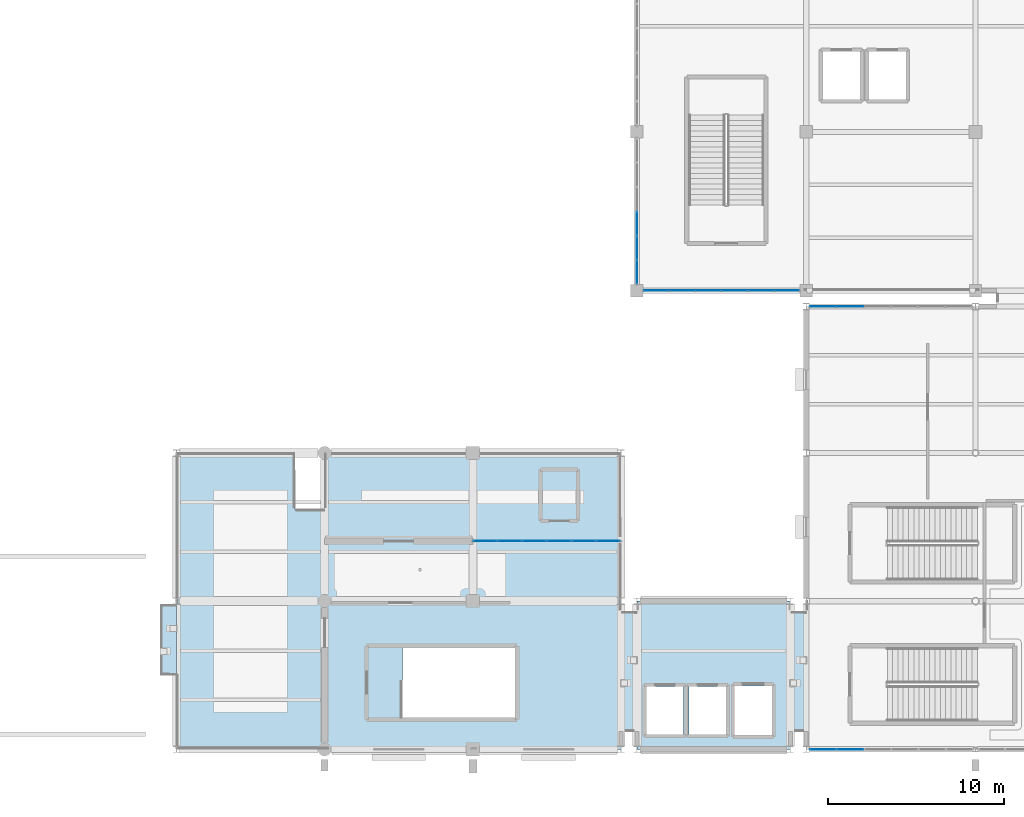
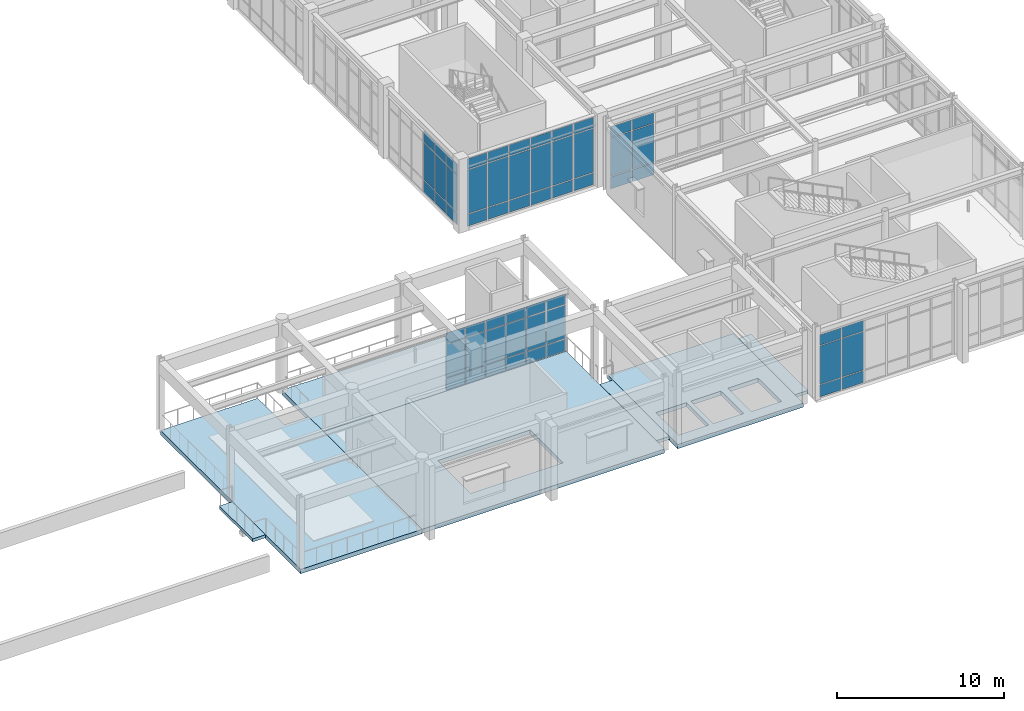
# One storey, part 55 of 80: 57 plates, 7 slabs, 5 elements without a shape of their own.
"""IFC4 building model written with IfcOpenShell, lengths in metres."""

from ifc_helpers import new_model, si_unit, direction, frame, origin, origin_2d, place, context, subcontext, project, spatial, polyline, rectangle, outline, extrude, material, layer, layer_set, type_object, element, aggregate, save


model = new_model("IFC4")

# Units and contexts
model_context = context("Model", 3, precision=1e-05, world=origin(), true_north=direction((0.0, 1.0)))
body_context = subcontext(model_context, "Body", "Model", "MODEL_VIEW")
ifc_project = project(units=[si_unit("LENGTHUNIT", "METRE"), si_unit("AREAUNIT", "SQUARE_METRE"), si_unit("VOLUMEUNIT", "CUBIC_METRE"), si_unit("PLANEANGLEUNIT", "RADIAN"), si_unit("MASSUNIT", "GRAM", prefix="KILO")], contexts=[model_context])

# Site, building, storey
site_placement = place(None, origin())
site = spatial("IfcSite", under=ifc_project, at=site_placement, CompositionType="ELEMENT")
building_placement = place(site_placement, origin())
building = spatial("IfcBuilding", under=site, at=building_placement, Name="Canglan Escarpment Cableway Terminal", CompositionType="ELEMENT")
storey_placement = place(building_placement, frame((0.0, 0.0, 19.199951171875)))
storey = spatial("IfcBuildingStorey", under=building, at=storey_placement, Name="L04", CompositionType="ELEMENT", Elevation=19.199951171875)

# Curtain wall, plates
ifc_material_1 = material(Name="Anodized bronze aluminium and Low-E double glazing", Category="aluminium")
curtain_wall_type_1 = type_object("IfcCurtainWallType", Name="CW-BAY-8400x4300", PredefinedType="NOTDEFINED", material=ifc_material_1)
curtain_wall_1_placement = place(storey_placement, origin())
curtain_wall_1 = element("IfcCurtainWall", 1, at=curtain_wall_1_placement, inside=storey, type_object=curtain_wall_type_1, Name="Classical bay-between-piers glazed curtain wall CW-20", PredefinedType="NOTDEFINED")
ifc_material_2 = material(Name="Double-silver Low-E laminated insulating glass", Category="glass")
ifc_layer_1 = layer(ifc_material_2, 0.02392578125, Name="Double-silver Low-E laminated insulating glass")
ifc_layer_set_1 = layer_set([ifc_layer_1], Name="Double-silver Low-E laminated insulating glass")
plate_type_1 = type_object("IfcPlateType", Name="CWP-01", PredefinedType="CURTAIN_PANEL", material=ifc_layer_set_1)
plate_1_placement = place(storey_placement, frame((135.983642578125, 19.800048828125, 0.06494140625), z_axis=(0.0, 0.0, 1.0), x_axis=(-1.0, 0.0, 0.0)))
plate_1 = element("IfcPlate", 2, at=plate_1_placement, type_object=plate_type_1, Name="CW-20 panel 1.1", PredefinedType="CURTAIN_PANEL", context=body_context, shape_type="SweptSolid", body=[
    extrude(rectangle(XDim=1.302490234375, YDim=0.02392578125, at=origin_2d()), origin(), (0.0, 0.0, 1.0), 0.8525390625),
])
plate_2_placement = place(storey_placement, frame((135.983642578125, 19.800048828125, 0.982421875), z_axis=(0.0, 0.0, 1.0), x_axis=(-1.0, 0.0, 0.0)))
plate_2 = element("IfcPlate", 3, at=plate_2_placement, type_object=plate_type_1, Name="CW-20 panel 1.2", PredefinedType="CURTAIN_PANEL", context=body_context, shape_type="SweptSolid", body=[
    extrude(rectangle(XDim=1.302490234375, YDim=0.02392578125, at=origin_2d()), origin(), (0.0, 0.0, 1.0), 2.429931640625),
])
plate_3_placement = place(storey_placement, frame((135.983642578125, 19.800048828125, 3.4775390625), z_axis=(0.0, 0.0, 1.0), x_axis=(-1.0, 0.0, 0.0)))
plate_3 = element("IfcPlate", 4, at=plate_3_placement, type_object=plate_type_1, Name="CW-20 panel 1.3", PredefinedType="CURTAIN_PANEL", context=body_context, shape_type="SweptSolid", body=[
    extrude(rectangle(XDim=1.302490234375, YDim=0.02392578125, at=origin_2d()), origin(), (0.0, 0.0, 1.0), 0.75244140625),
])
plate_4_placement = place(storey_placement, frame((134.60009765625, 19.800048828125, 0.06494140625), z_axis=(0.0, 0.0, 1.0), x_axis=(-1.0, 0.0, 0.0)))
plate_4 = element("IfcPlate", 5, at=plate_4_placement, type_object=plate_type_1, Name="CW-20 panel 2.1", PredefinedType="CURTAIN_PANEL", context=body_context, shape_type="SweptSolid", body=[
    extrude(rectangle(XDim=1.3349609375, YDim=0.02392578125, at=origin_2d()), origin(), (0.0, 0.0, 1.0), 0.8525390625),
])
plate_5_placement = place(storey_placement, frame((134.60009765625, 19.800048828125, 0.982421875), z_axis=(0.0, 0.0, 1.0), x_axis=(-1.0, 0.0, 0.0)))
plate_5 = element("IfcPlate", 6, at=plate_5_placement, type_object=plate_type_1, Name="CW-20 panel 2.2", PredefinedType="CURTAIN_PANEL", context=body_context, shape_type="SweptSolid", body=[
    extrude(rectangle(XDim=1.3349609375, YDim=0.02392578125, at=origin_2d()), origin(), (0.0, 0.0, 1.0), 2.429931640625),
])
plate_6_placement = place(storey_placement, frame((134.60009765625, 19.800048828125, 3.4775390625), z_axis=(0.0, 0.0, 1.0), x_axis=(-1.0, 0.0, 0.0)))
plate_6 = element("IfcPlate", 7, at=plate_6_placement, type_object=plate_type_1, Name="CW-20 panel 2.3", PredefinedType="CURTAIN_PANEL", context=body_context, shape_type="SweptSolid", body=[
    extrude(rectangle(XDim=1.3349609375, YDim=0.02392578125, at=origin_2d()), origin(), (0.0, 0.0, 1.0), 0.75244140625),
])
plate_7_placement = place(storey_placement, frame((133.199951171875, 19.800048828125, 0.06494140625), z_axis=(0.0, 0.0, 1.0), x_axis=(-1.0, 0.0, 0.0)))
plate_7 = element("IfcPlate", 8, at=plate_7_placement, type_object=plate_type_1, Name="CW-20 panel 3.1", PredefinedType="CURTAIN_PANEL", context=body_context, shape_type="SweptSolid", body=[
    extrude(rectangle(XDim=1.3349609375, YDim=0.02392578125, at=origin_2d()), origin(), (0.0, 0.0, 1.0), 0.8525390625),
])
plate_8_placement = place(storey_placement, frame((133.199951171875, 19.800048828125, 0.982421875), z_axis=(0.0, 0.0, 1.0), x_axis=(-1.0, 0.0, 0.0)))
plate_8 = element("IfcPlate", 9, at=plate_8_placement, type_object=plate_type_1, Name="CW-20 panel 3.2", PredefinedType="CURTAIN_PANEL", context=body_context, shape_type="SweptSolid", body=[
    extrude(rectangle(XDim=1.3349609375, YDim=0.02392578125, at=origin_2d()), origin(), (0.0, 0.0, 1.0), 2.429931640625),
])
plate_9_placement = place(storey_placement, frame((133.199951171875, 19.800048828125, 3.4775390625), z_axis=(0.0, 0.0, 1.0), x_axis=(-1.0, 0.0, 0.0)))
plate_9 = element("IfcPlate", 10, at=plate_9_placement, type_object=plate_type_1, Name="CW-20 panel 3.3", PredefinedType="CURTAIN_PANEL", context=body_context, shape_type="SweptSolid", body=[
    extrude(rectangle(XDim=1.3349609375, YDim=0.02392578125, at=origin_2d()), origin(), (0.0, 0.0, 1.0), 0.75244140625),
])
plate_10_placement = place(storey_placement, frame((131.800048828125, 19.800048828125, 0.06494140625), z_axis=(0.0, 0.0, 1.0), x_axis=(-1.0, 0.0, 0.0)))
plate_10 = element("IfcPlate", 11, at=plate_10_placement, type_object=plate_type_1, Name="CW-20 panel 4.1", PredefinedType="CURTAIN_PANEL", context=body_context, shape_type="SweptSolid", body=[
    extrude(rectangle(XDim=1.3349609375, YDim=0.02392578125, at=origin_2d()), origin(), (0.0, 0.0, 1.0), 0.8525390625),
])
plate_11_placement = place(storey_placement, frame((131.800048828125, 19.800048828125, 0.982421875), z_axis=(0.0, 0.0, 1.0), x_axis=(-1.0, 0.0, 0.0)))
plate_11 = element("IfcPlate", 12, at=plate_11_placement, type_object=plate_type_1, Name="CW-20 panel 4.2", PredefinedType="CURTAIN_PANEL", context=body_context, shape_type="SweptSolid", body=[
    extrude(rectangle(XDim=1.3349609375, YDim=0.02392578125, at=origin_2d()), origin(), (0.0, 0.0, 1.0), 2.429931640625),
])
plate_12_placement = place(storey_placement, frame((131.800048828125, 19.800048828125, 3.4775390625), z_axis=(0.0, 0.0, 1.0), x_axis=(-1.0, 0.0, 0.0)))
plate_12 = element("IfcPlate", 13, at=plate_12_placement, type_object=plate_type_1, Name="CW-20 panel 4.3", PredefinedType="CURTAIN_PANEL", context=body_context, shape_type="SweptSolid", body=[
    extrude(rectangle(XDim=1.3349609375, YDim=0.02392578125, at=origin_2d()), origin(), (0.0, 0.0, 1.0), 0.75244140625),
])
plate_13_placement = place(storey_placement, frame((130.39990234375, 19.800048828125, 0.06494140625), z_axis=(0.0, 0.0, 1.0), x_axis=(-1.0, 0.0, 0.0)))
plate_13 = element("IfcPlate", 14, at=plate_13_placement, type_object=plate_type_1, Name="CW-20 panel 5.1", PredefinedType="CURTAIN_PANEL", context=body_context, shape_type="SweptSolid", body=[
    extrude(rectangle(XDim=1.3349609375, YDim=0.02392578125, at=origin_2d()), origin(), (0.0, 0.0, 1.0), 0.8525390625),
])
plate_14_placement = place(storey_placement, frame((130.39990234375, 19.800048828125, 0.982421875), z_axis=(0.0, 0.0, 1.0), x_axis=(-1.0, 0.0, 0.0)))
plate_14 = element("IfcPlate", 15, at=plate_14_placement, type_object=plate_type_1, Name="CW-20 panel 5.2", PredefinedType="CURTAIN_PANEL", context=body_context, shape_type="SweptSolid", body=[
    extrude(rectangle(XDim=1.3349609375, YDim=0.02392578125, at=origin_2d()), origin(), (0.0, 0.0, 1.0), 2.429931640625),
])
plate_15_placement = place(storey_placement, frame((130.39990234375, 19.800048828125, 3.4775390625), z_axis=(0.0, 0.0, 1.0), x_axis=(-1.0, 0.0, 0.0)))
plate_15 = element("IfcPlate", 16, at=plate_15_placement, type_object=plate_type_1, Name="CW-20 panel 5.3", PredefinedType="CURTAIN_PANEL", context=body_context, shape_type="SweptSolid", body=[
    extrude(rectangle(XDim=1.3349609375, YDim=0.02392578125, at=origin_2d()), origin(), (0.0, 0.0, 1.0), 0.75244140625),
])
plate_16_placement = place(storey_placement, frame((129.016357421875, 19.800048828125, 0.06494140625), z_axis=(0.0, 0.0, 1.0), x_axis=(-1.0, 0.0, 0.0)))
plate_16 = element("IfcPlate", 17, at=plate_16_placement, type_object=plate_type_1, Name="CW-20 panel 6.1", PredefinedType="CURTAIN_PANEL", context=body_context, shape_type="SweptSolid", body=[
    extrude(rectangle(XDim=1.302490234375, YDim=0.02392578125, at=origin_2d()), origin(), (0.0, 0.0, 1.0), 0.8525390625),
])
plate_17_placement = place(storey_placement, frame((129.016357421875, 19.800048828125, 0.982421875), z_axis=(0.0, 0.0, 1.0), x_axis=(-1.0, 0.0, 0.0)))
plate_17 = element("IfcPlate", 18, at=plate_17_placement, type_object=plate_type_1, Name="CW-20 panel 6.2", PredefinedType="CURTAIN_PANEL", context=body_context, shape_type="SweptSolid", body=[
    extrude(rectangle(XDim=1.302490234375, YDim=0.02392578125, at=origin_2d()), origin(), (0.0, 0.0, 1.0), 2.429931640625),
])
plate_18_placement = place(storey_placement, frame((129.016357421875, 19.800048828125, 3.4775390625), z_axis=(0.0, 0.0, 1.0), x_axis=(-1.0, 0.0, 0.0)))
plate_18 = element("IfcPlate", 19, at=plate_18_placement, type_object=plate_type_1, Name="CW-20 panel 6.3", PredefinedType="CURTAIN_PANEL", context=body_context, shape_type="SweptSolid", body=[
    extrude(rectangle(XDim=1.302490234375, YDim=0.02392578125, at=origin_2d()), origin(), (0.0, 0.0, 1.0), 0.75244140625),
])
aggregate(curtain_wall_1, [plate_1, plate_2, plate_3, plate_4, plate_5, plate_6, plate_7, plate_8, plate_9, plate_10, plate_11, plate_12, plate_13, plate_14, plate_15, plate_16, plate_17, plate_18])

curtain_wall_type_2 = type_object("IfcCurtainWallType", Name="CW-BAY-9300x4650", PredefinedType="NOTDEFINED", material=ifc_material_1)
curtain_wall_2_placement = place(storey_placement, origin())
curtain_wall_2 = element("IfcCurtainWall", 20, at=curtain_wall_2_placement, inside=storey, type_object=curtain_wall_type_2, Name="Classical bay-between-piers glazed curtain wall CW-33", PredefinedType="NOTDEFINED")
ifc_layer_2 = layer(ifc_material_2, 0.028076171875, Name="Double-silver Low-E laminated insulating glass")
ifc_layer_set_2 = layer_set([ifc_layer_2], Name="Double-silver Low-E laminated insulating glass")
plate_type_2 = type_object("IfcPlateType", Name="CWP-02", PredefinedType="CURTAIN_PANEL", material=ifc_layer_set_2)
plate_19_placement = place(storey_placement, frame((148.1650390625, 8.0, 0.05517578125), z_axis=(0.0, 0.0, 1.0), x_axis=(1.0, 0.0, 0.0)))
plate_19 = element("IfcPlate", 21, at=plate_19_placement, type_object=plate_type_2, Name="CW-33 panel 1.1", PredefinedType="CURTAIN_PANEL", context=body_context, shape_type="SweptSolid", body=[
    extrude(rectangle(XDim=1.4599609375, YDim=0.028076171875, at=origin_2d()), origin(), (0.0, 0.0, 1.0), 0.867431640625),
])
plate_20_placement = place(storey_placement, frame((148.1650390625, 8.0, 0.9775390625), z_axis=(0.0, 0.0, 1.0), x_axis=(1.0, 0.0, 0.0)))
plate_20 = element("IfcPlate", 22, at=plate_20_placement, type_object=plate_type_2, Name="CW-33 panel 1.2", PredefinedType="CURTAIN_PANEL", context=body_context, shape_type="SweptSolid", body=[
    extrude(rectangle(XDim=1.4599609375, YDim=0.028076171875, at=origin_2d()), origin(), (0.0, 0.0, 1.0), 2.802001953125),
])
plate_21_placement = place(storey_placement, frame((148.1650390625, 8.0, 3.83447265625), z_axis=(0.0, 0.0, 1.0), x_axis=(1.0, 0.0, 0.0)))
plate_21 = element("IfcPlate", 23, at=plate_21_placement, type_object=plate_type_2, Name="CW-33 panel 1.3", PredefinedType="CURTAIN_PANEL", context=body_context, shape_type="SweptSolid", body=[
    extrude(rectangle(XDim=1.4599609375, YDim=0.028076171875, at=origin_2d()), origin(), (0.0, 0.0, 1.0), 0.767578125),
])
plate_22_placement = place(storey_placement, frame((149.699951171875, 8.0, 0.05517578125), z_axis=(0.0, 0.0, 1.0), x_axis=(1.0, 0.0, 0.0)))
plate_22 = element("IfcPlate", 24, at=plate_22_placement, type_object=plate_type_2, Name="CW-33 panel 2.1", PredefinedType="CURTAIN_PANEL", context=body_context, shape_type="SweptSolid", body=[
    extrude(rectangle(XDim=1.489990234375, YDim=0.028076171875, at=origin_2d()), origin(), (0.0, 0.0, 1.0), 0.867431640625),
])
plate_23_placement = place(storey_placement, frame((149.699951171875, 8.0, 0.9775390625), z_axis=(0.0, 0.0, 1.0), x_axis=(1.0, 0.0, 0.0)))
plate_23 = element("IfcPlate", 25, at=plate_23_placement, type_object=plate_type_2, Name="CW-33 panel 2.2", PredefinedType="CURTAIN_PANEL", context=body_context, shape_type="SweptSolid", body=[
    extrude(rectangle(XDim=1.489990234375, YDim=0.028076171875, at=origin_2d()), origin(), (0.0, 0.0, 1.0), 2.802001953125),
])
plate_24_placement = place(storey_placement, frame((149.699951171875, 8.0, 3.83447265625), z_axis=(0.0, 0.0, 1.0), x_axis=(1.0, 0.0, 0.0)))
plate_24 = element("IfcPlate", 26, at=plate_24_placement, type_object=plate_type_2, Name="CW-33 panel 2.3", PredefinedType="CURTAIN_PANEL", context=body_context, shape_type="SweptSolid", body=[
    extrude(rectangle(XDim=1.489990234375, YDim=0.028076171875, at=origin_2d()), origin(), (0.0, 0.0, 1.0), 0.767578125),
])
aggregate(curtain_wall_2, [plate_19, plate_20, plate_21, plate_22, plate_23, plate_24])

curtain_wall_type_3 = type_object("IfcCurtainWallType", Name="CW-BAY-9250x4650", PredefinedType="NOTDEFINED", material=ifc_material_1)
curtain_wall_3_placement = place(storey_placement, origin())
curtain_wall_3 = element("IfcCurtainWall", 27, at=curtain_wall_3_placement, inside=storey, type_object=curtain_wall_type_3, Name="Classical bay-between-piers glazed curtain wall CW-36", PredefinedType="NOTDEFINED")
plate_25_placement = place(storey_placement, frame((149.6875, 33.10009765625, 0.05517578125), z_axis=(0.0, 0.0, 1.0), x_axis=(-1.0, 0.0, 0.0)))
plate_25 = element("IfcPlate", 28, at=plate_25_placement, type_object=plate_type_2, Name="CW-36 panel 5.1", PredefinedType="CURTAIN_PANEL", context=body_context, shape_type="SweptSolid", body=[
    extrude(rectangle(XDim=1.481689453125, YDim=0.028076171875, at=origin_2d()), origin(), (0.0, 0.0, 1.0), 0.867431640625),
])
plate_26_placement = place(storey_placement, frame((149.6875, 33.10009765625, 0.9775390625), z_axis=(0.0, 0.0, 1.0), x_axis=(-1.0, 0.0, 0.0)))
plate_26 = element("IfcPlate", 29, at=plate_26_placement, type_object=plate_type_2, Name="CW-36 panel 5.2", PredefinedType="CURTAIN_PANEL", context=body_context, shape_type="SweptSolid", body=[
    extrude(rectangle(XDim=1.481689453125, YDim=0.028076171875, at=origin_2d()), origin(), (0.0, 0.0, 1.0), 2.802001953125),
])
plate_27_placement = place(storey_placement, frame((149.6875, 33.10009765625, 3.83447265625), z_axis=(0.0, 0.0, 1.0), x_axis=(-1.0, 0.0, 0.0)))
plate_27 = element("IfcPlate", 30, at=plate_27_placement, type_object=plate_type_2, Name="CW-36 panel 5.3", PredefinedType="CURTAIN_PANEL", context=body_context, shape_type="SweptSolid", body=[
    extrude(rectangle(XDim=1.481689453125, YDim=0.028076171875, at=origin_2d()), origin(), (0.0, 0.0, 1.0), 0.767578125),
])
plate_28_placement = place(storey_placement, frame((148.160888671875, 33.10009765625, 0.05517578125), z_axis=(0.0, 0.0, 1.0), x_axis=(-1.0, 0.0, 0.0)))
plate_28 = element("IfcPlate", 31, at=plate_28_placement, type_object=plate_type_2, Name="CW-36 panel 6.1", PredefinedType="CURTAIN_PANEL", context=body_context, shape_type="SweptSolid", body=[
    extrude(rectangle(XDim=1.45166015625, YDim=0.028076171875, at=origin_2d()), origin(), (0.0, 0.0, 1.0), 0.867431640625),
])
plate_29_placement = place(storey_placement, frame((148.160888671875, 33.10009765625, 0.9775390625), z_axis=(0.0, 0.0, 1.0), x_axis=(-1.0, 0.0, 0.0)))
plate_29 = element("IfcPlate", 32, at=plate_29_placement, type_object=plate_type_2, Name="CW-36 panel 6.2", PredefinedType="CURTAIN_PANEL", context=body_context, shape_type="SweptSolid", body=[
    extrude(rectangle(XDim=1.45166015625, YDim=0.028076171875, at=origin_2d()), origin(), (0.0, 0.0, 1.0), 2.802001953125),
])
plate_30_placement = place(storey_placement, frame((148.160888671875, 33.10009765625, 3.83447265625), z_axis=(0.0, 0.0, 1.0), x_axis=(-1.0, 0.0, 0.0)))
plate_30 = element("IfcPlate", 33, at=plate_30_placement, type_object=plate_type_2, Name="CW-36 panel 6.3", PredefinedType="CURTAIN_PANEL", context=body_context, shape_type="SweptSolid", body=[
    extrude(rectangle(XDim=1.45166015625, YDim=0.028076171875, at=origin_2d()), origin(), (0.0, 0.0, 1.0), 0.767578125),
])
aggregate(curtain_wall_3, [plate_25, plate_26, plate_27, plate_28, plate_29, plate_30])

curtain_wall_type_4 = type_object("IfcCurtainWallType", Name="CW-BAY-8900x5050", PredefinedType="NOTDEFINED", material=ifc_material_1)
curtain_wall_4_placement = place(storey_placement, origin())
curtain_wall_4 = element("IfcCurtainWall", 34, at=curtain_wall_4_placement, inside=storey, type_object=curtain_wall_type_4, Name="Classical bay-between-piers glazed curtain wall CW-63", PredefinedType="NOTDEFINED")
plate_31_placement = place(storey_placement, frame((138.7080078125, 34.0, 0.06005859375), z_axis=(0.0, 0.0, 1.0), x_axis=(1.0, 0.0, 0.0)))
plate_31 = element("IfcPlate", 35, at=plate_31_placement, type_object=plate_type_2, Name="CW-63 panel 1.1", PredefinedType="CURTAIN_PANEL", context=body_context, shape_type="SweptSolid", body=[
    extrude(rectangle(XDim=1.3857421875, YDim=0.028076171875, at=origin_2d()), origin(), (0.0, 0.0, 1.0), 0.860107421875),
])
plate_32_placement = place(storey_placement, frame((138.7080078125, 34.0, 0.97998046875), z_axis=(0.0, 0.0, 1.0), x_axis=(1.0, 0.0, 0.0)))
plate_32 = element("IfcPlate", 36, at=plate_32_placement, type_object=plate_type_2, Name="CW-63 panel 1.2", PredefinedType="CURTAIN_PANEL", context=body_context, shape_type="SweptSolid", body=[
    extrude(rectangle(XDim=1.3857421875, YDim=0.028076171875, at=origin_2d()), origin(), (0.0, 0.0, 1.0), 3.18994140625),
])
plate_33_placement = place(storey_placement, frame((138.7080078125, 34.0, 4.22998046875), z_axis=(0.0, 0.0, 1.0), x_axis=(1.0, 0.0, 0.0)))
plate_33 = element("IfcPlate", 37, at=plate_33_placement, type_object=plate_type_2, Name="CW-63 panel 1.3", PredefinedType="CURTAIN_PANEL", context=body_context, shape_type="SweptSolid", body=[
    extrude(rectangle(XDim=1.3857421875, YDim=0.028076171875, at=origin_2d()), origin(), (0.0, 0.0, 1.0), 0.760009765625),
])
plate_34_placement = place(storey_placement, frame((140.175048828125, 34.0, 0.06005859375), z_axis=(0.0, 0.0, 1.0), x_axis=(1.0, 0.0, 0.0)))
plate_34 = element("IfcPlate", 38, at=plate_34_placement, type_object=plate_type_2, Name="CW-63 panel 2.1", PredefinedType="CURTAIN_PANEL", context=body_context, shape_type="SweptSolid", body=[
    extrude(rectangle(XDim=1.418212890625, YDim=0.028076171875, at=origin_2d()), origin(), (0.0, 0.0, 1.0), 0.860107421875),
])
plate_35_placement = place(storey_placement, frame((140.175048828125, 34.0, 0.97998046875), z_axis=(0.0, 0.0, 1.0), x_axis=(1.0, 0.0, 0.0)))
plate_35 = element("IfcPlate", 39, at=plate_35_placement, type_object=plate_type_2, Name="CW-63 panel 2.2", PredefinedType="CURTAIN_PANEL", context=body_context, shape_type="SweptSolid", body=[
    extrude(rectangle(XDim=1.418212890625, YDim=0.028076171875, at=origin_2d()), origin(), (0.0, 0.0, 1.0), 3.18994140625),
])
plate_36_placement = place(storey_placement, frame((140.175048828125, 34.0, 4.22998046875), z_axis=(0.0, 0.0, 1.0), x_axis=(1.0, 0.0, 0.0)))
plate_36 = element("IfcPlate", 40, at=plate_36_placement, type_object=plate_type_2, Name="CW-63 panel 2.3", PredefinedType="CURTAIN_PANEL", context=body_context, shape_type="SweptSolid", body=[
    extrude(rectangle(XDim=1.418212890625, YDim=0.028076171875, at=origin_2d()), origin(), (0.0, 0.0, 1.0), 0.760009765625),
])
plate_37_placement = place(storey_placement, frame((141.658447265625, 34.0, 0.06005859375), z_axis=(0.0, 0.0, 1.0), x_axis=(1.0, 0.0, 0.0)))
plate_37 = element("IfcPlate", 41, at=plate_37_placement, type_object=plate_type_2, Name="CW-63 panel 3.1", PredefinedType="CURTAIN_PANEL", context=body_context, shape_type="SweptSolid", body=[
    extrude(rectangle(XDim=1.418212890625, YDim=0.028076171875, at=origin_2d()), origin(), (0.0, 0.0, 1.0), 0.860107421875),
])
plate_38_placement = place(storey_placement, frame((141.658447265625, 34.0, 0.97998046875), z_axis=(0.0, 0.0, 1.0), x_axis=(1.0, 0.0, 0.0)))
plate_38 = element("IfcPlate", 42, at=plate_38_placement, type_object=plate_type_2, Name="CW-63 panel 3.2", PredefinedType="CURTAIN_PANEL", context=body_context, shape_type="SweptSolid", body=[
    extrude(rectangle(XDim=1.418212890625, YDim=0.028076171875, at=origin_2d()), origin(), (0.0, 0.0, 1.0), 3.18994140625),
])
plate_39_placement = place(storey_placement, frame((141.658447265625, 34.0, 4.22998046875), z_axis=(0.0, 0.0, 1.0), x_axis=(1.0, 0.0, 0.0)))
plate_39 = element("IfcPlate", 43, at=plate_39_placement, type_object=plate_type_2, Name="CW-63 panel 3.3", PredefinedType="CURTAIN_PANEL", context=body_context, shape_type="SweptSolid", body=[
    extrude(rectangle(XDim=1.418212890625, YDim=0.028076171875, at=origin_2d()), origin(), (0.0, 0.0, 1.0), 0.760009765625),
])
plate_40_placement = place(storey_placement, frame((143.1416015625, 34.0, 0.06005859375), z_axis=(0.0, 0.0, 1.0), x_axis=(1.0, 0.0, 0.0)))
plate_40 = element("IfcPlate", 44, at=plate_40_placement, type_object=plate_type_2, Name="CW-63 panel 4.1", PredefinedType="CURTAIN_PANEL", context=body_context, shape_type="SweptSolid", body=[
    extrude(rectangle(XDim=1.418212890625, YDim=0.028076171875, at=origin_2d()), origin(), (0.0, 0.0, 1.0), 0.860107421875),
])
plate_41_placement = place(storey_placement, frame((143.1416015625, 34.0, 0.97998046875), z_axis=(0.0, 0.0, 1.0), x_axis=(1.0, 0.0, 0.0)))
plate_41 = element("IfcPlate", 45, at=plate_41_placement, type_object=plate_type_2, Name="CW-63 panel 4.2", PredefinedType="CURTAIN_PANEL", context=body_context, shape_type="SweptSolid", body=[
    extrude(rectangle(XDim=1.418212890625, YDim=0.028076171875, at=origin_2d()), origin(), (0.0, 0.0, 1.0), 3.18994140625),
])
plate_42_placement = place(storey_placement, frame((143.1416015625, 34.0, 4.22998046875), z_axis=(0.0, 0.0, 1.0), x_axis=(1.0, 0.0, 0.0)))
plate_42 = element("IfcPlate", 46, at=plate_42_placement, type_object=plate_type_2, Name="CW-63 panel 4.3", PredefinedType="CURTAIN_PANEL", context=body_context, shape_type="SweptSolid", body=[
    extrude(rectangle(XDim=1.418212890625, YDim=0.028076171875, at=origin_2d()), origin(), (0.0, 0.0, 1.0), 0.760009765625),
])
plate_43_placement = place(storey_placement, frame((144.625, 34.0, 0.06005859375), z_axis=(0.0, 0.0, 1.0), x_axis=(1.0, 0.0, 0.0)))
plate_43 = element("IfcPlate", 47, at=plate_43_placement, type_object=plate_type_2, Name="CW-63 panel 5.1", PredefinedType="CURTAIN_PANEL", context=body_context, shape_type="SweptSolid", body=[
    extrude(rectangle(XDim=1.418212890625, YDim=0.028076171875, at=origin_2d()), origin(), (0.0, 0.0, 1.0), 0.860107421875),
])
plate_44_placement = place(storey_placement, frame((144.625, 34.0, 0.97998046875), z_axis=(0.0, 0.0, 1.0), x_axis=(1.0, 0.0, 0.0)))
plate_44 = element("IfcPlate", 48, at=plate_44_placement, type_object=plate_type_2, Name="CW-63 panel 5.2", PredefinedType="CURTAIN_PANEL", context=body_context, shape_type="SweptSolid", body=[
    extrude(rectangle(XDim=1.418212890625, YDim=0.028076171875, at=origin_2d()), origin(), (0.0, 0.0, 1.0), 3.18994140625),
])
plate_45_placement = place(storey_placement, frame((144.625, 34.0, 4.22998046875), z_axis=(0.0, 0.0, 1.0), x_axis=(1.0, 0.0, 0.0)))
plate_45 = element("IfcPlate", 49, at=plate_45_placement, type_object=plate_type_2, Name="CW-63 panel 5.3", PredefinedType="CURTAIN_PANEL", context=body_context, shape_type="SweptSolid", body=[
    extrude(rectangle(XDim=1.418212890625, YDim=0.028076171875, at=origin_2d()), origin(), (0.0, 0.0, 1.0), 0.760009765625),
])
plate_46_placement = place(storey_placement, frame((146.092041015625, 34.0, 0.06005859375), z_axis=(0.0, 0.0, 1.0), x_axis=(1.0, 0.0, 0.0)))
plate_46 = element("IfcPlate", 50, at=plate_46_placement, type_object=plate_type_2, Name="CW-63 panel 6.1", PredefinedType="CURTAIN_PANEL", context=body_context, shape_type="SweptSolid", body=[
    extrude(rectangle(XDim=1.3857421875, YDim=0.028076171875, at=origin_2d()), origin(), (0.0, 0.0, 1.0), 0.860107421875),
])
plate_47_placement = place(storey_placement, frame((146.092041015625, 34.0, 0.97998046875), z_axis=(0.0, 0.0, 1.0), x_axis=(1.0, 0.0, 0.0)))
plate_47 = element("IfcPlate", 51, at=plate_47_placement, type_object=plate_type_2, Name="CW-63 panel 6.2", PredefinedType="CURTAIN_PANEL", context=body_context, shape_type="SweptSolid", body=[
    extrude(rectangle(XDim=1.3857421875, YDim=0.028076171875, at=origin_2d()), origin(), (0.0, 0.0, 1.0), 3.18994140625),
])
plate_48_placement = place(storey_placement, frame((146.092041015625, 34.0, 4.22998046875), z_axis=(0.0, 0.0, 1.0), x_axis=(1.0, 0.0, 0.0)))
plate_48 = element("IfcPlate", 52, at=plate_48_placement, type_object=plate_type_2, Name="CW-63 panel 6.3", PredefinedType="CURTAIN_PANEL", context=body_context, shape_type="SweptSolid", body=[
    extrude(rectangle(XDim=1.3857421875, YDim=0.028076171875, at=origin_2d()), origin(), (0.0, 0.0, 1.0), 0.760009765625),
])
aggregate(curtain_wall_4, [plate_31, plate_32, plate_33, plate_34, plate_35, plate_36, plate_37, plate_38, plate_39, plate_40, plate_41, plate_42, plate_43, plate_44, plate_45, plate_46, plate_47, plate_48])

curtain_wall_type_5 = type_object("IfcCurtainWallType", Name="CW-BAY-8300x4550", PredefinedType="NOTDEFINED", material=ifc_material_1)
curtain_wall_5_placement = place(storey_placement, origin())
curtain_wall_5 = element("IfcCurtainWall", 53, at=curtain_wall_5_placement, inside=storey, type_object=curtain_wall_type_5, Name="Classical bay-between-piers glazed curtain wall CW-64", PredefinedType="NOTDEFINED")
plate_49_placement = place(storey_placement, frame((137.60009765625, 37.808349609375, 0.06005859375), z_axis=(0.0, 0.0, 1.0), x_axis=(0.0, -1.0, 0.0)))
plate_49 = element("IfcPlate", 54, at=plate_49_placement, type_object=plate_type_2, Name="CW-64 panel 4.1", PredefinedType="CURTAIN_PANEL", context=body_context, shape_type="SweptSolid", body=[
    extrude(rectangle(XDim=1.318359375, YDim=0.028076171875, at=origin_2d()), origin(), (0.0, 0.0, 1.0), 0.860107421875),
])
plate_50_placement = place(storey_placement, frame((137.60009765625, 37.808349609375, 0.97998046875), z_axis=(0.0, 0.0, 1.0), x_axis=(0.0, -1.0, 0.0)))
plate_50 = element("IfcPlate", 55, at=plate_50_placement, type_object=plate_type_2, Name="CW-64 panel 4.2", PredefinedType="CURTAIN_PANEL", context=body_context, shape_type="SweptSolid", body=[
    extrude(rectangle(XDim=1.318359375, YDim=0.028076171875, at=origin_2d()), origin(), (0.0, 0.0, 1.0), 2.69091796875),
])
plate_51_placement = place(storey_placement, frame((137.60009765625, 37.808349609375, 3.73095703125), z_axis=(0.0, 0.0, 1.0), x_axis=(0.0, -1.0, 0.0)))
plate_51 = element("IfcPlate", 56, at=plate_51_placement, type_object=plate_type_2, Name="CW-64 panel 4.3", PredefinedType="CURTAIN_PANEL", context=body_context, shape_type="SweptSolid", body=[
    extrude(rectangle(XDim=1.318359375, YDim=0.028076171875, at=origin_2d()), origin(), (0.0, 0.0, 1.0), 0.760009765625),
])
plate_52_placement = place(storey_placement, frame((137.60009765625, 36.425048828125, 0.06005859375), z_axis=(0.0, 0.0, 1.0), x_axis=(0.0, -1.0, 0.0)))
plate_52 = element("IfcPlate", 57, at=plate_52_placement, type_object=plate_type_2, Name="CW-64 panel 5.1", PredefinedType="CURTAIN_PANEL", context=body_context, shape_type="SweptSolid", body=[
    extrude(rectangle(XDim=1.318359375, YDim=0.028076171875, at=origin_2d()), origin(), (0.0, 0.0, 1.0), 0.860107421875),
])
plate_53_placement = place(storey_placement, frame((137.60009765625, 36.425048828125, 0.97998046875), z_axis=(0.0, 0.0, 1.0), x_axis=(0.0, -1.0, 0.0)))
plate_53 = element("IfcPlate", 58, at=plate_53_placement, type_object=plate_type_2, Name="CW-64 panel 5.2", PredefinedType="CURTAIN_PANEL", context=body_context, shape_type="SweptSolid", body=[
    extrude(rectangle(XDim=1.318359375, YDim=0.028076171875, at=origin_2d()), origin(), (0.0, 0.0, 1.0), 2.69091796875),
])
plate_54_placement = place(storey_placement, frame((137.60009765625, 36.425048828125, 3.73095703125), z_axis=(0.0, 0.0, 1.0), x_axis=(0.0, -1.0, 0.0)))
plate_54 = element("IfcPlate", 59, at=plate_54_placement, type_object=plate_type_2, Name="CW-64 panel 5.3", PredefinedType="CURTAIN_PANEL", context=body_context, shape_type="SweptSolid", body=[
    extrude(rectangle(XDim=1.318359375, YDim=0.028076171875, at=origin_2d()), origin(), (0.0, 0.0, 1.0), 0.760009765625),
])
plate_55_placement = place(storey_placement, frame((137.60009765625, 35.057861328125, 0.06005859375), z_axis=(0.0, 0.0, 1.0), x_axis=(0.0, -1.0, 0.0)))
plate_55 = element("IfcPlate", 60, at=plate_55_placement, type_object=plate_type_2, Name="CW-64 panel 6.1", PredefinedType="CURTAIN_PANEL", context=body_context, shape_type="SweptSolid", body=[
    extrude(rectangle(XDim=1.285888671875, YDim=0.028076171875, at=origin_2d()), origin(), (0.0, 0.0, 1.0), 0.860107421875),
])
plate_56_placement = place(storey_placement, frame((137.60009765625, 35.057861328125, 0.97998046875), z_axis=(0.0, 0.0, 1.0), x_axis=(0.0, -1.0, 0.0)))
plate_56 = element("IfcPlate", 61, at=plate_56_placement, type_object=plate_type_2, Name="CW-64 panel 6.2", PredefinedType="CURTAIN_PANEL", context=body_context, shape_type="SweptSolid", body=[
    extrude(rectangle(XDim=1.285888671875, YDim=0.028076171875, at=origin_2d()), origin(), (0.0, 0.0, 1.0), 2.69091796875),
])
plate_57_placement = place(storey_placement, frame((137.60009765625, 35.057861328125, 3.73095703125), z_axis=(0.0, 0.0, 1.0), x_axis=(0.0, -1.0, 0.0)))
plate_57 = element("IfcPlate", 62, at=plate_57_placement, type_object=plate_type_2, Name="CW-64 panel 6.3", PredefinedType="CURTAIN_PANEL", context=body_context, shape_type="SweptSolid", body=[
    extrude(rectangle(XDim=1.285888671875, YDim=0.028076171875, at=origin_2d()), origin(), (0.0, 0.0, 1.0), 0.760009765625),
])
aggregate(curtain_wall_5, [plate_49, plate_50, plate_51, plate_52, plate_53, plate_54, plate_55, plate_56, plate_57])

# Slabs
ifc_material_3 = material(Name="Concrete C40", Category="concrete")
ifc_layer_3 = layer(ifc_material_3, 0.300048828125, Name="Concrete C40")
ifc_layer_set_3 = layer_set([ifc_layer_3], Name="Concrete C40")
slab_type_1 = type_object("IfcSlabType", Name="SLB-FLR-300", PredefinedType="FLOOR", material=ifc_layer_set_3)
slab_1_placement = place(storey_placement, frame((0.0, 0.0, -0.300048828125)))
element("IfcSlab", 63, at=slab_1_placement, inside=storey, type_object=slab_type_1, Name="Suspended structural floor slab L04", PredefinedType="FLOOR", context=body_context, shape_type="SweptSolid", body=[
    extrude(outline(polyline([(119.89990234375, 8.0), (136.699951171875, 8.0), (136.699951171875, 19.800048828125), (119.89990234375, 19.800048828125), (119.89990234375, 8.0)]), holes=[polyline([(130.699951171875, 9.800048828125), (124.300048828125, 9.800048828125), (124.300048828125, 11.85009765625), (124.305908203125, 11.85009765625), (124.305908203125, 13.75), (130.699951171875, 13.75), (130.699951171875, 11.85009765625), (130.699951171875, 11.830078125), (130.699951171875, 9.800048828125)])]), origin(), (0.0, 0.0, 1.0), 0.300048828125),
])
slab_2_placement = place(storey_placement, frame((0.0, 0.0, -0.300048828125)))
element("IfcSlab", 64, at=slab_2_placement, inside=storey, type_object=slab_type_1, Name="Suspended structural floor slab L04", PredefinedType="FLOOR", context=body_context, shape_type="SweptSolid", body=[
    extrude(outline(polyline([(137.60009765625, 8.0), (146.300048828125, 8.0), (146.300048828125, 16.39990234375), (137.60009765625, 16.39990234375), (137.60009765625, 8.0)]), holes=[polyline([(138.14990234375, 8.85009765625), (138.14990234375, 11.550048828125), (140.25, 11.550048828125), (140.25, 8.85009765625), (138.14990234375, 8.85009765625)]), polyline([(140.550048828125, 11.550048828125), (142.64990234375, 11.550048828125), (142.64990234375, 8.85009765625), (140.550048828125, 8.85009765625), (140.550048828125, 11.550048828125)]), polyline([(143.14990234375, 11.60009765625), (145.25, 11.60009765625), (145.25, 8.800048828125), (143.14990234375, 8.800048828125), (143.14990234375, 11.60009765625)])]), origin(), (0.0, 0.0, 1.0), 0.300048828125),
])
ifc_layer_4 = layer(ifc_material_3, 0.320068359375, Name="Concrete C40")
ifc_layer_set_4 = layer_set([ifc_layer_4], Name="Concrete C40")
slab_type_2 = type_object("IfcSlabType", Name="SLB-GARDEN-320", PredefinedType="FLOOR", material=ifc_layer_set_4)
slab_3_placement = place(storey_placement, frame((0.0, 0.0, -0.320068359375)))
element("IfcSlab", 65, at=slab_3_placement, inside=storey, type_object=slab_type_2, Name="Planted roof garden terrace SG-01", PredefinedType="FLOOR", context=body_context, shape_type="SweptSolid", body=[
    extrude(outline(polyline([(111.5, 8.0), (119.89990234375, 8.0), (119.89990234375, 21.60009765625), (118.219970703125, 21.60009765625), (118.219970703125, 24.800048828125), (111.5, 24.800048828125), (111.5, 8.0)])), origin(), (0.0, 0.0, 1.0), 0.320068359375),
])
slab_4_placement = place(storey_placement, frame((0.0, 0.0, -0.320068359375)))
element("IfcSlab", 66, at=slab_4_placement, inside=storey, type_object=slab_type_2, Name="Planted roof garden terrace SG-01", PredefinedType="FLOOR", context=body_context, shape_type="SweptSolid", body=[
    extrude(outline(polyline([(119.89990234375, 19.800048828125), (136.699951171875, 19.800048828125), (136.699951171875, 24.800048828125), (119.89990234375, 24.800048828125), (119.89990234375, 19.800048828125)])), origin(), (0.0, 0.0, 1.0), 0.320068359375),
])
ifc_layer_5 = layer(ifc_material_3, 0.219970703125, Name="Concrete C40")
ifc_layer_set_5 = layer_set([ifc_layer_5], Name="Concrete C40")
slab_type_3 = type_object("IfcSlabType", Name="SLB-LINK-220", PredefinedType="FLOOR", material=ifc_layer_set_5)
slab_5_placement = place(storey_placement, frame((0.0, 0.0, -0.219970703125)))
element("IfcSlab", 67, at=slab_5_placement, inside=storey, type_object=slab_type_3, Name="Movement-joint concourse link slab MJ-S1", PredefinedType="FLOOR", context=body_context, shape_type="SweptSolid", body=[
    extrude(outline(polyline([(110.60009765625, 12.199951171875), (110.60009765625, 16.199951171875), (111.4951171875, 16.199951171875), (111.4951171875, 12.199951171875), (110.60009765625, 12.199951171875)])), origin(), (0.0, 0.0, 1.0), 0.219970703125),
])
slab_6_placement = place(storey_placement, frame((0.0, 0.0, -0.219970703125)))
element("IfcSlab", 68, at=slab_6_placement, inside=storey, type_object=slab_type_3, Name="Movement-joint concourse link slab MJ-S1", PredefinedType="FLOOR", context=body_context, shape_type="SweptSolid", body=[
    extrude(outline(polyline([(137.594970703125, 15.800048828125), (137.594970703125, 9.0), (136.705078125, 9.0), (136.705078125, 15.800048828125), (137.594970703125, 15.800048828125)])), origin(), (0.0, 0.0, 1.0), 0.219970703125),
])
slab_7_placement = place(storey_placement, frame((0.0, 0.0, -0.219970703125)))
element("IfcSlab", 69, at=slab_7_placement, inside=storey, type_object=slab_type_3, Name="Movement-joint concourse link slab MJ-S1", PredefinedType="FLOOR", context=body_context, shape_type="SweptSolid", body=[
    extrude(outline(polyline([(147.195068359375, 15.800048828125), (147.195068359375, 9.0), (146.304931640625, 9.0), (146.304931640625, 15.800048828125), (147.195068359375, 15.800048828125)])), origin(), (0.0, 0.0, 1.0), 0.219970703125),
])

save(model, "model.ifc")
